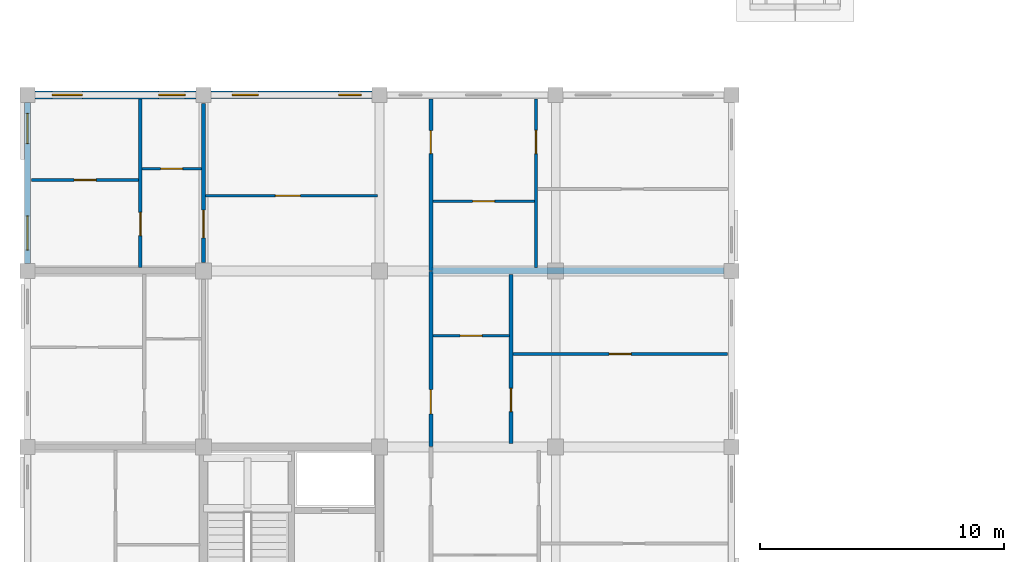
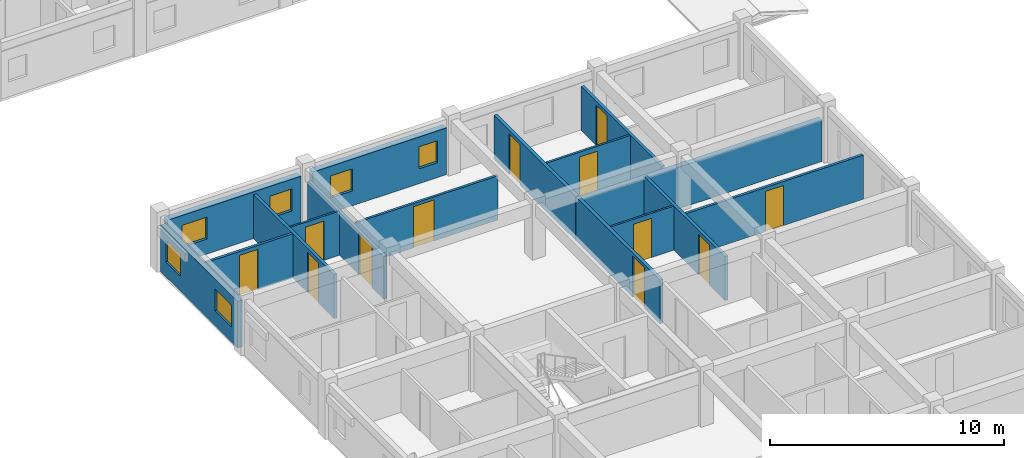
# One storey, part 18 of 50: 16 walls, 12 doors, 6 windows, 18 openings.
"""IFC4 building model written with IfcOpenShell, lengths in metres."""

from ifc_helpers import new_model, si_unit, direction, frame, frame_2d, origin, place, context, subcontext, project, spatial, rectangle, extrude, material, layer, layer_set, type_object, element, fill, save


model = new_model("IFC4")

# Units and contexts
model_context = context("Model", 3, precision=1e-05, world=origin(), true_north=direction((0.0, 1.0)))
body_context = subcontext(model_context, "Body", "Model", "MODEL_VIEW")
ifc_project = project(units=[si_unit("LENGTHUNIT", "METRE"), si_unit("AREAUNIT", "SQUARE_METRE"), si_unit("VOLUMEUNIT", "CUBIC_METRE"), si_unit("PLANEANGLEUNIT", "RADIAN"), si_unit("MASSUNIT", "GRAM", prefix="KILO"), si_unit("THERMODYNAMICTEMPERATUREUNIT", "KELVIN"), si_unit("POWERUNIT", "WATT")], contexts=[model_context])

# Site, building, storey
site_placement = place(None, origin())
site = spatial("IfcSite", under=ifc_project, at=site_placement, CompositionType="ELEMENT")
building_placement = place(site_placement, origin())
building = spatial("IfcBuilding", under=site, at=building_placement, Name="Tavuni Mirador Residences", CompositionType="ELEMENT")
storey_placement = place(building_placement, frame((0.0, 0.0, 4.5)))
storey = spatial("IfcBuildingStorey", under=building, at=storey_placement, Name="L01", CompositionType="ELEMENT", Elevation=4.5)

# Wall, opening, door
ifc_material_1 = material(Name="Precast concrete C40/50", Category="concrete")
ifc_layer_1 = layer(ifc_material_1, 0.1650390625, Name="Precast concrete C40/50", Category="concrete")
ifc_layer_set_1 = layer_set([ifc_layer_1], Name="Precast concrete C40/50")
wall_type_1 = type_object("IfcWallType", Name="WT-CORR165", PredefinedType="PARTITIONING", material=ifc_layer_set_1)
wall_1_placement = place(storey_placement, frame((20.10009765625, 36.02001953125, 0.0), z_axis=(0.0, 0.0, 1.0), x_axis=(0.0, 1.0, 0.0)))
wall_1 = element("IfcWall", 1, at=wall_1_placement, inside=storey, type_object=wall_type_1, Name="CORW-BLK-A-L01-0-04", PredefinedType="PARTITIONING", context=body_context, shape_type="SweptSolid", body=[
    extrude(rectangle(XDim=7.159912109375, YDim=0.1650390625, at=frame_2d((3.580078125, 0.0))), origin(), (0.0, 0.0, 1.0), 2.304931640625),
])
opening_1_placement = place(wall_1_placement, frame((1.330078125, 0.0, 0.0)))
opening_1 = element("IfcOpeningElement", 2, at=opening_1_placement, cuts=wall_1, Name="Opening D-03", PredefinedType="OPENING", context=body_context, shape_type="SweptSolid", body=[
    extrude(rectangle(XDim=1.0, YDim=2.14990234375, at=frame_2d((0.5, 1.074951171875))), frame((0.0, 0.092529296875, 0.0), z_axis=(0.0, -1.0, 0.0), x_axis=(1.0, 0.0, 0.0)), (0.0, 0.0, 1.0), 0.18505859375),
])
ifc_material_2 = material(Name="Solid core iroko timber", Category="wood")
door_type_1 = type_object("IfcDoorType", Name="DT-FD60-1000", OperationType="NOTDEFINED", PredefinedType="DOOR", material=ifc_material_2)
door_1_placement = place(opening_1_placement, origin())
door_1 = element("IfcDoor", 3, at=door_1_placement, inside=storey, type_object=door_type_1, Name="DR-2397", OperationType="SINGLE_SWING_RIGHT", OverallHeight=2.14990234375, OverallWidth=1.0, PredefinedType="DOOR", context=body_context, shape_type="SweptSolid", body=[
    extrude(rectangle(XDim=1.0, YDim=2.14990234375, at=frame_2d((0.5, 1.074951171875))), frame((0.0, 0.02490234375, 0.0), z_axis=(0.0, -1.0, 0.0), x_axis=(1.0, 0.0, 0.0)), (0.0, 0.0, 1.0), 0.050048828125),
])
fill(opening_1, door_1)

wall_2_placement = place(storey_placement, frame((20.10009765625, 43.219970703125, 0.0), z_axis=(0.0, 0.0, 1.0), x_axis=(0.0, 1.0, 0.0)))
wall_2 = element("IfcWall", 4, at=wall_2_placement, inside=storey, type_object=wall_type_1, Name="CORW-BLK-A-L01-0-05", PredefinedType="PARTITIONING", context=body_context, shape_type="SweptSolid", body=[
    extrude(rectangle(XDim=7.005126953125, YDim=0.1650390625, at=frame_2d((3.50244140625, 0.0))), origin(), (0.0, 0.0, 1.0), 2.304931640625),
])
opening_2_placement = place(wall_2_placement, frame((4.780029296875, 0.0, 0.0)))
opening_2 = element("IfcOpeningElement", 5, at=opening_2_placement, cuts=wall_2, Name="Opening D-19", PredefinedType="OPENING", context=body_context, shape_type="SweptSolid", body=[
    extrude(rectangle(XDim=0.93994140625, YDim=2.1201171875, at=frame_2d((0.469970703125, 1.06005859375))), frame((0.0, 0.092529296875, 0.0), z_axis=(0.0, -1.0, 0.0), x_axis=(1.0, 0.0, 0.0)), (0.0, 0.0, 1.0), 0.18505859375),
])
door_type_2 = type_object("IfcDoorType", Name="DT-FD60-940", OperationType="NOTDEFINED", PredefinedType="DOOR", material=ifc_material_2)
door_2_placement = place(opening_2_placement, origin())
door_2 = element("IfcDoor", 6, at=door_2_placement, inside=storey, type_object=door_type_2, Name="DR-2398", OperationType="SINGLE_SWING_LEFT", OverallHeight=2.1201171875, OverallWidth=0.93994140625, PredefinedType="DOOR", context=body_context, shape_type="SweptSolid", body=[
    extrude(rectangle(XDim=0.93994140625, YDim=2.1201171875, at=frame_2d((0.469970703125, 1.06005859375))), frame((0.0, 0.02490234375, 0.0), z_axis=(0.0, -1.0, 0.0), x_axis=(1.0, 0.0, 0.0)), (0.0, 0.0, 1.0), 0.050048828125),
])
fill(opening_2, door_2)

wall_3_placement = place(storey_placement, frame((10.800048828125, 43.550048828125, 0.0), z_axis=(0.0, 0.0, 1.0), x_axis=(0.0, 1.0, 0.0)))
wall_3 = element("IfcWall", 7, at=wall_3_placement, inside=storey, type_object=wall_type_1, Name="CORW-BLK-A-L01-1-05", PredefinedType="PARTITIONING", context=body_context, shape_type="SweptSolid", body=[
    extrude(rectangle(XDim=6.5, YDim=0.1650390625, at=frame_2d((3.25, 0.0))), origin(), (0.0, 0.0, 1.0), 2.219970703125),
])
opening_3_placement = place(wall_3_placement, frame((1.0, 0.0, 0.0)))
opening_3 = element("IfcOpeningElement", 8, at=opening_3_placement, cuts=wall_3, Name="Opening D-20", PredefinedType="OPENING", context=body_context, shape_type="SweptSolid", body=[
    extrude(rectangle(XDim=1.139892578125, YDim=2.179931640625, at=frame_2d((0.56982421875, 1.08984375))), frame((0.0, 0.092529296875, 0.0), z_axis=(0.0, -1.0, 0.0), x_axis=(1.0, 0.0, 0.0)), (0.0, 0.0, 1.0), 0.18505859375),
])
door_type_3 = type_object("IfcDoorType", Name="DT-FD60-1140", OperationType="NOTDEFINED", PredefinedType="DOOR", material=ifc_material_2)
door_3_placement = place(opening_3_placement, origin())
door_3 = element("IfcDoor", 9, at=door_3_placement, inside=storey, type_object=door_type_3, Name="DR-2402", OperationType="SINGLE_SWING_LEFT", OverallHeight=2.179931640625, OverallWidth=1.139892578125, PredefinedType="DOOR", context=body_context, shape_type="SweptSolid", body=[
    extrude(rectangle(XDim=1.139892578125, YDim=2.179931640625, at=frame_2d((0.56982421875, 1.08984375))), frame((0.0, 0.02490234375, 0.0), z_axis=(0.0, -1.0, 0.0), x_axis=(1.0, 0.0, 0.0)), (0.0, 0.0, 1.0), 0.050048828125),
])
fill(opening_3, door_3)

# Wall, openings, windows
ifc_material_3 = material(Name="Sgraffito lime-rendered precast concrete C40/50", Category="concrete")
ifc_layer_2 = layer(ifc_material_3, 0.2451171875, Name="Sgraffito lime-rendered precast concrete C40/50", Category="concrete")
ifc_layer_set_2 = layer_set([ifc_layer_2], Name="Sgraffito lime-rendered precast concrete C40/50")
wall_type_2 = type_object("IfcWallType", Name="WT-EXT-PC245", PredefinedType="SOLIDWALL", material=ifc_layer_set_2)
wall_4_placement = place(storey_placement, frame((3.60009765625, 50.10009765625, 0.0), z_axis=(0.0, 0.0, 1.0), x_axis=(0.0, -1.0, 0.0)))
wall_4 = element("IfcWall", 10, at=wall_4_placement, inside=storey, type_object=wall_type_2, Name="EW-BLK-A-L01-W05", PredefinedType="SOLIDWALL", context=body_context, shape_type="SweptSolid", body=[
    extrude(rectangle(XDim=6.60009765625, YDim=0.2451171875, at=frame_2d((3.300048828125, 0.0))), origin(), (0.0, 0.0, 1.0), 2.43994140625),
])
opening_4_placement = place(wall_4_placement, frame((0.449951171875, 0.0, 0.780029296875)))
opening_4 = element("IfcOpeningElement", 11, at=opening_4_placement, cuts=wall_4, Name="Opening WN-06", PredefinedType="OPENING", context=body_context, shape_type="SweptSolid", body=[
    extrude(rectangle(XDim=1.239990234375, YDim=1.14990234375, at=frame_2d((0.6201171875, 0.574951171875))), frame((0.0, 0.132568359375, 0.0), z_axis=(0.0, -1.0, 0.0), x_axis=(1.0, 0.0, 0.0)), (0.0, 0.0, 1.0), 0.26513671875),
])
opening_5_placement = place(wall_4_placement, frame((4.64990234375, 0.0, 0.780029296875)))
opening_5 = element("IfcOpeningElement", 12, at=opening_5_placement, cuts=wall_4, Name="Opening WN-08", PredefinedType="OPENING", context=body_context, shape_type="SweptSolid", body=[
    extrude(rectangle(XDim=1.39990234375, YDim=1.14990234375, at=frame_2d((0.699951171875, 0.574951171875))), frame((0.0, 0.132568359375, 0.0), z_axis=(0.0, -1.0, 0.0), x_axis=(1.0, 0.0, 0.0)), (0.0, 0.0, 1.0), 0.26513671875),
])
ifc_material_4 = material(Name="Laminated solar-control glass", Category="glass")
window_type_1 = type_object("IfcWindowType", Name="WNT-06", PartitioningType="SINGLE_PANEL", PredefinedType="WINDOW", material=ifc_material_4)
window_1_placement = place(opening_4_placement, origin())
window_1 = element("IfcWindow", 13, at=window_1_placement, inside=storey, type_object=window_type_1, Name="WIN-0064", OverallHeight=1.14990234375, OverallWidth=1.239990234375, PartitioningType="SINGLE_PANEL", PredefinedType="WINDOW", context=body_context, shape_type="SweptSolid", body=[
    extrude(rectangle(XDim=1.239990234375, YDim=1.14990234375, at=frame_2d((0.6201171875, 0.574951171875))), frame((0.0, 0.030029296875, 0.0), z_axis=(0.0, -1.0, 0.0), x_axis=(1.0, 0.0, 0.0)), (0.0, 0.0, 1.0), 0.06005859375),
])
fill(opening_4, window_1)
window_type_2 = type_object("IfcWindowType", Name="WNT-08", PartitioningType="SINGLE_PANEL", PredefinedType="WINDOW", material=ifc_material_4)
window_2_placement = place(opening_5_placement, origin())
window_2 = element("IfcWindow", 14, at=window_2_placement, inside=storey, type_object=window_type_2, Name="WIN-0065", OverallHeight=1.14990234375, OverallWidth=1.39990234375, PartitioningType="SINGLE_PANEL", PredefinedType="WINDOW", context=body_context, shape_type="SweptSolid", body=[
    extrude(rectangle(XDim=1.39990234375, YDim=1.14990234375, at=frame_2d((0.699951171875, 0.574951171875))), frame((0.0, 0.030029296875, 0.0), z_axis=(0.0, -1.0, 0.0), x_axis=(1.0, 0.0, 0.0)), (0.0, 0.0, 1.0), 0.06005859375),
])
fill(opening_5, window_2)

ifc_layer_3 = layer(ifc_material_3, 0.304931640625, Name="Sgraffito lime-rendered precast concrete C40/50", Category="concrete")
ifc_layer_set_3 = layer_set([ifc_layer_3], Name="Sgraffito lime-rendered precast concrete C40/50")
wall_type_3 = type_object("IfcWallType", Name="WT-EXT-PC305", PredefinedType="SOLIDWALL", material=ifc_layer_set_3)
wall_5_placement = place(storey_placement, frame((17.699951171875, 50.39990234375, 0.0), z_axis=(0.0, 0.0, 1.0), x_axis=(-1.0, 0.0, 0.0)))
wall_5 = element("IfcWall", 15, at=wall_5_placement, inside=storey, type_object=wall_type_3, Name="EW-BLK-A-L01-N01", PredefinedType="SOLIDWALL", context=body_context, shape_type="SweptSolid", body=[
    extrude(rectangle(XDim=6.599853515625, YDim=0.304931640625, at=frame_2d((3.2998046875, 0.0))), origin(), (0.0, 0.0, 1.0), 2.43994140625),
])
opening_6_placement = place(wall_5_placement, frame((0.449951171875, 0.0, 0.780029296875)))
opening_6 = element("IfcOpeningElement", 16, at=opening_6_placement, cuts=wall_5, Name="Opening WN-02", PredefinedType="OPENING", context=body_context, shape_type="SweptSolid", body=[
    extrude(rectangle(XDim=0.919921875, YDim=1.14990234375, at=frame_2d((0.4599609375, 0.574951171875))), frame((0.0, 0.16259765625, 0.0), z_axis=(0.0, -1.0, 0.0), x_axis=(1.0, 0.0, 0.0)), (0.0, 0.0, 1.0), 0.324951171875),
])
opening_7_placement = place(wall_5_placement, frame((4.64990234375, 0.0, 0.780029296875)))
opening_7 = element("IfcOpeningElement", 17, at=opening_7_placement, cuts=wall_5, Name="Opening WN-04", PredefinedType="OPENING", context=body_context, shape_type="SweptSolid", body=[
    extrude(rectangle(XDim=1.080078125, YDim=1.14990234375, at=frame_2d((0.5400390625, 0.574951171875))), frame((0.0, 0.16259765625, 0.0), z_axis=(0.0, -1.0, 0.0), x_axis=(1.0, 0.0, 0.0)), (0.0, 0.0, 1.0), 0.324951171875),
])
window_type_3 = type_object("IfcWindowType", Name="WNT-02", PartitioningType="SINGLE_PANEL", PredefinedType="WINDOW", material=ifc_material_4)
window_3_placement = place(opening_6_placement, origin())
window_3 = element("IfcWindow", 18, at=window_3_placement, inside=storey, type_object=window_type_3, Name="WIN-0060", OverallHeight=1.14990234375, OverallWidth=0.919921875, PartitioningType="SINGLE_PANEL", PredefinedType="WINDOW", context=body_context, shape_type="SweptSolid", body=[
    extrude(rectangle(XDim=0.919921875, YDim=1.14990234375, at=frame_2d((0.4599609375, 0.574951171875))), frame((0.0, 0.030029296875, 0.0), z_axis=(0.0, -1.0, 0.0), x_axis=(1.0, 0.0, 0.0)), (0.0, 0.0, 1.0), 0.06005859375),
])
fill(opening_6, window_3)
window_type_4 = type_object("IfcWindowType", Name="WNT-04", PartitioningType="SINGLE_PANEL", PredefinedType="WINDOW", material=ifc_material_4)
window_4_placement = place(opening_7_placement, origin())
window_4 = element("IfcWindow", 19, at=window_4_placement, inside=storey, type_object=window_type_4, Name="WIN-0061", OverallHeight=1.14990234375, OverallWidth=1.080078125, PartitioningType="SINGLE_PANEL", PredefinedType="WINDOW", context=body_context, shape_type="SweptSolid", body=[
    extrude(rectangle(XDim=1.080078125, YDim=1.14990234375, at=frame_2d((0.5400390625, 0.574951171875))), frame((0.0, 0.030029296875, 0.0), z_axis=(0.0, -1.0, 0.0), x_axis=(1.0, 0.0, 0.0)), (0.0, 0.0, 1.0), 0.06005859375),
])
fill(opening_7, window_4)

ifc_layer_4 = layer(ifc_material_3, 0.31494140625, Name="Sgraffito lime-rendered precast concrete C40/50", Category="concrete")
ifc_layer_set_4 = layer_set([ifc_layer_4], Name="Sgraffito lime-rendered precast concrete C40/50")
wall_type_4 = type_object("IfcWallType", Name="WT-EXT-PC315", PredefinedType="SOLIDWALL", material=ifc_layer_set_4)
wall_6_placement = place(storey_placement, frame((10.5, 50.39990234375, 0.0), z_axis=(0.0, 0.0, 1.0), x_axis=(-1.0, 0.0, 0.0)))
wall_6 = element("IfcWall", 20, at=wall_6_placement, inside=storey, type_object=wall_type_4, Name="EW-BLK-A-L01-N00", PredefinedType="SOLIDWALL", context=body_context, shape_type="SweptSolid", body=[
    extrude(rectangle(XDim=6.60009765625, YDim=0.31494140625, at=frame_2d((3.300048828125, 0.0))), origin(), (0.0, 0.0, 1.0), 2.43994140625),
])
opening_8_placement = place(wall_6_placement, frame((0.449951171875, 0.0, 0.780029296875)))
opening_8 = element("IfcOpeningElement", 21, at=opening_8_placement, cuts=wall_6, Name="Opening WN-04", PredefinedType="OPENING", context=body_context, shape_type="SweptSolid", body=[
    extrude(rectangle(XDim=1.080078125, YDim=1.14990234375, at=frame_2d((0.5400390625, 0.574951171875))), frame((0.0, 0.16748046875, 0.0), z_axis=(0.0, -1.0, 0.0), x_axis=(1.0, 0.0, 0.0)), (0.0, 0.0, 1.0), 0.3349609375),
])
opening_9_placement = place(wall_6_placement, frame((4.64990234375, 0.0, 0.780029296875)))
opening_9 = element("IfcOpeningElement", 22, at=opening_9_placement, cuts=wall_6, Name="Opening WN-06", PredefinedType="OPENING", context=body_context, shape_type="SweptSolid", body=[
    extrude(rectangle(XDim=1.239990234375, YDim=1.14990234375, at=frame_2d((0.6201171875, 0.574951171875))), frame((0.0, 0.16748046875, 0.0), z_axis=(0.0, -1.0, 0.0), x_axis=(1.0, 0.0, 0.0)), (0.0, 0.0, 1.0), 0.3349609375),
])
window_5_placement = place(opening_8_placement, origin())
window_5 = element("IfcWindow", 23, at=window_5_placement, inside=storey, type_object=window_type_4, Name="WIN-0062", OverallHeight=1.14990234375, OverallWidth=1.080078125, PartitioningType="SINGLE_PANEL", PredefinedType="WINDOW", context=body_context, shape_type="SweptSolid", body=[
    extrude(rectangle(XDim=1.080078125, YDim=1.14990234375, at=frame_2d((0.5400390625, 0.574951171875))), frame((0.0, 0.030029296875, 0.0), z_axis=(0.0, -1.0, 0.0), x_axis=(1.0, 0.0, 0.0)), (0.0, 0.0, 1.0), 0.06005859375),
])
fill(opening_8, window_5)
window_6_placement = place(opening_9_placement, origin())
window_6 = element("IfcWindow", 24, at=window_6_placement, inside=storey, type_object=window_type_1, Name="WIN-0063", OverallHeight=1.14990234375, OverallWidth=1.239990234375, PartitioningType="SINGLE_PANEL", PredefinedType="WINDOW", context=body_context, shape_type="SweptSolid", body=[
    extrude(rectangle(XDim=1.239990234375, YDim=1.14990234375, at=frame_2d((0.6201171875, 0.574951171875))), frame((0.0, 0.030029296875, 0.0), z_axis=(0.0, -1.0, 0.0), x_axis=(1.0, 0.0, 0.0)), (0.0, 0.0, 1.0), 0.06005859375),
])
fill(opening_9, window_6)

# Wall, opening, door
ifc_material_5 = material(Name="Acoustic gypsum and concrete block partition", Category="concrete")
ifc_layer_5 = layer(ifc_material_5, 0.094970703125, Name="Acoustic gypsum and concrete block partition", Category="concrete")
ifc_layer_set_5 = layer_set([ifc_layer_5], Name="Acoustic gypsum and concrete block partition")
wall_type_5 = type_object("IfcWallType", Name="WT-PART095", PredefinedType="PARTITIONING", material=ifc_layer_set_5)
wall_7_placement = place(storey_placement, frame((20.18994140625, 40.550048828125, 0.0), z_axis=(0.0, 0.0, 1.0), x_axis=(1.0, 0.0, 0.0)))
wall_7 = element("IfcWall", 25, at=wall_7_placement, inside=storey, type_object=wall_type_5, Name="PW-BLK-A-L01-E04-IN1", PredefinedType="PARTITIONING", context=body_context, shape_type="SweptSolid", body=[
    extrude(rectangle(XDim=3.1201171875, YDim=0.094970703125, at=frame_2d((1.56005859375, 0.0))), origin(), (0.0, 0.0, 1.0), 2.304931640625),
])
opening_10_placement = place(wall_7_placement, frame((1.110107421875, 0.0, 0.0)))
opening_10 = element("IfcOpeningElement", 26, at=opening_10_placement, cuts=wall_7, Name="Opening D-09", PredefinedType="OPENING", context=body_context, shape_type="SweptSolid", body=[
    extrude(rectangle(XDim=0.89990234375, YDim=2.050048828125, at=frame_2d((0.449951171875, 1.02490234375))), frame((0.0, 0.0576171875, 0.0), z_axis=(0.0, -1.0, 0.0), x_axis=(1.0, 0.0, 0.0)), (0.0, 0.0, 1.0), 0.114990234375),
])
door_type_4 = type_object("IfcDoorType", Name="DT-WC900", OperationType="NOTDEFINED", PredefinedType="DOOR", material=ifc_material_2)
door_4_placement = place(opening_10_placement, origin())
door_4 = element("IfcDoor", 27, at=door_4_placement, inside=storey, type_object=door_type_4, Name="DR-2981", OperationType="SINGLE_SWING_RIGHT", OverallHeight=2.050048828125, OverallWidth=0.89990234375, PredefinedType="DOOR", context=body_context, shape_type="SweptSolid", body=[
    extrude(rectangle(XDim=0.89990234375, YDim=2.050048828125, at=frame_2d((0.449951171875, 1.02490234375))), frame((0.0, 0.02490234375, 0.0), z_axis=(0.0, -1.0, 0.0), x_axis=(1.0, 0.0, 0.0)), (0.0, 0.0, 1.0), 0.050048828125),
])
fill(opening_10, door_4)

wall_8_placement = place(storey_placement, frame((8.2900390625, 47.3798828125, 0.0), z_axis=(0.0, 0.0, 1.0), x_axis=(1.0, 0.0, 0.0)))
wall_8 = element("IfcWall", 28, at=wall_8_placement, inside=storey, type_object=wall_type_5, Name="PW-BLK-A-L01-W05-IN1", PredefinedType="PARTITIONING", context=body_context, shape_type="SweptSolid", body=[
    extrude(rectangle(XDim=2.419921875, YDim=0.094970703125, at=frame_2d((1.2099609375, 0.0))), origin(), (0.0, 0.0, 1.0), 2.304931640625),
])
opening_11_placement = place(wall_8_placement, frame((0.760009765625, 0.0, 0.0)))
opening_11 = element("IfcOpeningElement", 29, at=opening_11_placement, cuts=wall_8, Name="Opening D-09", PredefinedType="OPENING", context=body_context, shape_type="SweptSolid", body=[
    extrude(rectangle(XDim=0.89990234375, YDim=2.050048828125, at=frame_2d((0.449951171875, 1.02490234375))), frame((0.0, 0.0576171875, 0.0), z_axis=(0.0, -1.0, 0.0), x_axis=(1.0, 0.0, 0.0)), (0.0, 0.0, 1.0), 0.114990234375),
])
door_5_placement = place(opening_11_placement, origin())
door_5 = element("IfcDoor", 30, at=door_5_placement, inside=storey, type_object=door_type_4, Name="DR-2985", OperationType="SINGLE_SWING_RIGHT", OverallHeight=2.050048828125, OverallWidth=0.89990234375, PredefinedType="DOOR", context=body_context, shape_type="SweptSolid", body=[
    extrude(rectangle(XDim=0.89990234375, YDim=2.050048828125, at=frame_2d((0.449951171875, 1.02490234375))), frame((0.0, 0.02490234375, 0.0), z_axis=(0.0, -1.0, 0.0), x_axis=(1.0, 0.0, 0.0)), (0.0, 0.0, 1.0), 0.050048828125),
])
fill(opening_11, door_5)

ifc_layer_6 = layer(ifc_material_5, 0.10498046875, Name="Acoustic gypsum and concrete block partition", Category="concrete")
ifc_layer_set_6 = layer_set([ifc_layer_6], Name="Acoustic gypsum and concrete block partition")
wall_type_6 = type_object("IfcWallType", Name="WT-PART105", PredefinedType="PARTITIONING", material=ifc_layer_set_6)
wall_9_placement = place(storey_placement, frame((20.18994140625, 46.050048828125, 0.0), z_axis=(0.0, 0.0, 1.0), x_axis=(1.0, 0.0, 0.0)))
wall_9 = element("IfcWall", 31, at=wall_9_placement, inside=storey, type_object=wall_type_6, Name="PW-BLK-A-L01-E05-IN1", PredefinedType="PARTITIONING", context=body_context, shape_type="SweptSolid", body=[
    extrude(rectangle(XDim=4.14013671875, YDim=0.10498046875, at=frame_2d((2.070068359375, 0.0))), origin(), (0.0, 0.0, 1.0), 2.304931640625),
])
opening_12_placement = place(wall_9_placement, frame((1.6201171875, 0.0, 0.0)))
opening_12 = element("IfcOpeningElement", 32, at=opening_12_placement, cuts=wall_9, Name="Opening D-09", PredefinedType="OPENING", context=body_context, shape_type="SweptSolid", body=[
    extrude(rectangle(XDim=0.89990234375, YDim=2.050048828125, at=frame_2d((0.449951171875, 1.02490234375))), frame((0.0, 0.0625, 0.0), z_axis=(0.0, -1.0, 0.0), x_axis=(1.0, 0.0, 0.0)), (0.0, 0.0, 1.0), 0.125),
])
door_6_placement = place(opening_12_placement, origin())
door_6 = element("IfcDoor", 33, at=door_6_placement, inside=storey, type_object=door_type_4, Name="DR-2988", OperationType="SINGLE_SWING_RIGHT", OverallHeight=2.050048828125, OverallWidth=0.89990234375, PredefinedType="DOOR", context=body_context, shape_type="SweptSolid", body=[
    extrude(rectangle(XDim=0.89990234375, YDim=2.050048828125, at=frame_2d((0.449951171875, 1.02490234375))), frame((0.0, 0.02490234375, 0.0), z_axis=(0.0, -1.0, 0.0), x_axis=(1.0, 0.0, 0.0)), (0.0, 0.0, 1.0), 0.050048828125),
])
fill(opening_12, door_6)

ifc_layer_7 = layer(ifc_material_5, 0.114990234375, Name="Acoustic gypsum and concrete block partition", Category="concrete")
ifc_layer_set_7 = layer_set([ifc_layer_7], Name="Acoustic gypsum and concrete block partition")
wall_type_7 = type_object("IfcWallType", Name="WT-PART115", PredefinedType="PARTITIONING", material=ifc_layer_set_7)
wall_10_placement = place(storey_placement, frame((10.889892578125, 46.280029296875, 0.0), z_axis=(0.0, 0.0, 1.0), x_axis=(1.0, 0.0, 0.0)))
wall_10 = element("IfcWall", 34, at=wall_10_placement, inside=storey, type_object=wall_type_7, Name="PW-SPN-BLK-A-L01-05", PredefinedType="PARTITIONING", context=body_context, shape_type="SweptSolid", body=[
    extrude(rectangle(XDim=7.02001953125, YDim=0.114990234375, at=frame_2d((3.510009765625, 0.0))), origin(), (0.0, 0.0, 1.0), 2.304931640625),
])
opening_13_placement = place(wall_10_placement, frame((2.85009765625, 0.0, 0.0)))
opening_13 = element("IfcOpeningElement", 35, at=opening_13_placement, cuts=wall_10, Name="Opening D-13", PredefinedType="OPENING", context=body_context, shape_type="SweptSolid", body=[
    extrude(rectangle(XDim=1.02001953125, YDim=2.14990234375, at=frame_2d((0.510009765625, 1.074951171875))), frame((0.0, 0.0673828125, 0.0), z_axis=(0.0, -1.0, 0.0), x_axis=(1.0, 0.0, 0.0)), (0.0, 0.0, 1.0), 0.135009765625),
])
door_type_5 = type_object("IfcDoorType", Name="DT-MTG1020", OperationType="NOTDEFINED", PredefinedType="DOOR", material=ifc_material_2)
door_7_placement = place(opening_13_placement, origin())
door_7 = element("IfcDoor", 36, at=door_7_placement, inside=storey, type_object=door_type_5, Name="DR-2983", OperationType="SINGLE_SWING_LEFT", OverallHeight=2.14990234375, OverallWidth=1.02001953125, PredefinedType="DOOR", context=body_context, shape_type="SweptSolid", body=[
    extrude(rectangle(XDim=1.02001953125, YDim=2.14990234375, at=frame_2d((0.510009765625, 1.074951171875))), frame((0.0, 0.02490234375, 0.0), z_axis=(0.0, -1.0, 0.0), x_axis=(1.0, 0.0, 0.0)), (0.0, 0.0, 1.0), 0.050048828125),
])
fill(opening_13, door_7)

ifc_layer_8 = layer(ifc_material_5, 0.125, Name="Acoustic gypsum and concrete block partition", Category="concrete")
ifc_layer_set_8 = layer_set([ifc_layer_8], Name="Acoustic gypsum and concrete block partition")
wall_type_8 = type_object("IfcWallType", Name="WT-PART125", PredefinedType="PARTITIONING", material=ifc_layer_set_8)
wall_11_placement = place(storey_placement, frame((23.449951171875, 39.800048828125, 0.0), z_axis=(0.0, 0.0, 1.0), x_axis=(1.0, 0.0, 0.0)))
wall_11 = element("IfcWall", 37, at=wall_11_placement, inside=storey, type_object=wall_type_8, Name="PW-BLK-A-L01-E04-OUT", PredefinedType="PARTITIONING", context=body_context, shape_type="SweptSolid", body=[
    extrude(rectangle(XDim=8.775146484375, YDim=0.125, at=frame_2d((4.3876953125, 0.0))), origin(), (0.0, 0.0, 1.0), 2.304931640625),
])
opening_14_placement = place(wall_11_placement, frame((3.9375, 0.0, 0.0)))
opening_14 = element("IfcOpeningElement", 38, at=opening_14_placement, cuts=wall_11, Name="Opening D-07", PredefinedType="OPENING", context=body_context, shape_type="SweptSolid", body=[
    extrude(rectangle(XDim=0.89990234375, YDim=2.10009765625, at=frame_2d((0.449951171875, 1.050048828125))), frame((0.0, 0.072509765625, 0.0), z_axis=(0.0, -1.0, 0.0), x_axis=(1.0, 0.0, 0.0)), (0.0, 0.0, 1.0), 0.14501953125),
])
door_type_6 = type_object("IfcDoorType", Name="DT-BED900", OperationType="NOTDEFINED", PredefinedType="DOOR", material=ifc_material_2)
door_8_placement = place(opening_14_placement, origin())
door_8 = element("IfcDoor", 39, at=door_8_placement, inside=storey, type_object=door_type_6, Name="DR-2980", OperationType="SINGLE_SWING_LEFT", OverallHeight=2.10009765625, OverallWidth=0.89990234375, PredefinedType="DOOR", context=body_context, shape_type="SweptSolid", body=[
    extrude(rectangle(XDim=0.89990234375, YDim=2.10009765625, at=frame_2d((0.449951171875, 1.050048828125))), frame((0.0, 0.02490234375, 0.0), z_axis=(0.0, -1.0, 0.0), x_axis=(1.0, 0.0, 0.0)), (0.0, 0.0, 1.0), 0.050048828125),
])
fill(opening_14, door_8)

wall_12_placement = place(storey_placement, frame((3.77490234375, 46.919921875, 0.0), z_axis=(0.0, 0.0, 1.0), x_axis=(1.0, 0.0, 0.0)))
wall_12 = element("IfcWall", 40, at=wall_12_placement, inside=storey, type_object=wall_type_8, Name="PW-BLK-A-L01-W05-OUT", PredefinedType="PARTITIONING", context=body_context, shape_type="SweptSolid", body=[
    extrude(rectangle(XDim=4.375, YDim=0.125, at=frame_2d((2.1875, 0.0))), origin(), (0.0, 0.0, 1.0), 2.304931640625),
])
opening_15_placement = place(wall_12_placement, frame((1.737548828125, 0.0, 0.0)))
opening_15 = element("IfcOpeningElement", 41, at=opening_15_placement, cuts=wall_12, Name="Opening D-07", PredefinedType="OPENING", context=body_context, shape_type="SweptSolid", body=[
    extrude(rectangle(XDim=0.89990234375, YDim=2.10009765625, at=frame_2d((0.449951171875, 1.050048828125))), frame((0.0, 0.072509765625, 0.0), z_axis=(0.0, -1.0, 0.0), x_axis=(1.0, 0.0, 0.0)), (0.0, 0.0, 1.0), 0.14501953125),
])
door_9_placement = place(opening_15_placement, origin())
door_9 = element("IfcDoor", 42, at=door_9_placement, inside=storey, type_object=door_type_6, Name="DR-2984", OperationType="SINGLE_SWING_LEFT", OverallHeight=2.10009765625, OverallWidth=0.89990234375, PredefinedType="DOOR", context=body_context, shape_type="SweptSolid", body=[
    extrude(rectangle(XDim=0.89990234375, YDim=2.10009765625, at=frame_2d((0.449951171875, 1.050048828125))), frame((0.0, 0.02490234375, 0.0), z_axis=(0.0, -1.0, 0.0), x_axis=(1.0, 0.0, 0.0)), (0.0, 0.0, 1.0), 0.050048828125),
])
fill(opening_15, door_9)

ifc_layer_9 = layer(ifc_material_5, 0.139892578125, Name="Acoustic gypsum and concrete block partition", Category="concrete")
ifc_layer_set_9 = layer_set([ifc_layer_9], Name="Acoustic gypsum and concrete block partition")
wall_type_9 = type_object("IfcWallType", Name="WT-PART140", PredefinedType="PARTITIONING", material=ifc_layer_set_9)
wall_13_placement = place(storey_placement, frame((24.39990234375, 43.340087890625, 0.0), z_axis=(0.0, 0.0, 1.0), x_axis=(0.0, 1.0, 0.0)))
wall_13 = element("IfcWall", 43, at=wall_13_placement, inside=storey, type_object=wall_type_9, Name="PW-BLK-A-L01-E05-MID", PredefinedType="PARTITIONING", context=body_context, shape_type="SweptSolid", body=[
    extrude(rectangle(XDim=6.885009765625, YDim=0.139892578125, at=frame_2d((3.4423828125, 0.0))), origin(), (0.0, 0.0, 1.0), 2.304931640625),
])
opening_16_placement = place(wall_13_placement, frame((4.659912109375, 0.0, 0.0)))
opening_16 = element("IfcOpeningElement", 44, at=opening_16_placement, cuts=wall_13, Name="Opening D-05", PredefinedType="OPENING", context=body_context, shape_type="SweptSolid", body=[
    extrude(rectangle(XDim=0.949951171875, YDim=2.10009765625, at=frame_2d((0.47509765625, 1.050048828125))), frame((0.0, 0.080078125, 0.0), z_axis=(0.0, -1.0, 0.0), x_axis=(1.0, 0.0, 0.0)), (0.0, 0.0, 1.0), 0.159912109375),
])
door_type_7 = type_object("IfcDoorType", Name="DT-INT950", OperationType="NOTDEFINED", PredefinedType="DOOR", material=ifc_material_2)
door_10_placement = place(opening_16_placement, origin())
door_10 = element("IfcDoor", 45, at=door_10_placement, inside=storey, type_object=door_type_7, Name="DR-2989", OperationType="SINGLE_SWING_LEFT", OverallHeight=2.10009765625, OverallWidth=0.949951171875, PredefinedType="DOOR", context=body_context, shape_type="SweptSolid", body=[
    extrude(rectangle(XDim=0.949951171875, YDim=2.10009765625, at=frame_2d((0.47509765625, 1.050048828125))), frame((0.0, 0.02490234375, 0.0), z_axis=(0.0, -1.0, 0.0), x_axis=(1.0, 0.0, 0.0)), (0.0, 0.0, 1.0), 0.050048828125),
])
fill(opening_16, door_10)

ifc_layer_10 = layer(ifc_material_5, 0.14990234375, Name="Acoustic gypsum and concrete block partition", Category="concrete")
ifc_layer_set_10 = layer_set([ifc_layer_10], Name="Acoustic gypsum and concrete block partition")
wall_type_10 = type_object("IfcWallType", Name="WT-PART150", PredefinedType="PARTITIONING", material=ifc_layer_set_10)
wall_14_placement = place(storey_placement, frame((23.3798828125, 36.139892578125, 0.0), z_axis=(0.0, 0.0, 1.0), x_axis=(0.0, 1.0, 0.0)))
wall_14 = element("IfcWall", 46, at=wall_14_placement, inside=storey, type_object=wall_type_10, Name="PW-BLK-A-L01-E04-MID", PredefinedType="PARTITIONING", context=body_context, shape_type="SweptSolid", body=[
    extrude(rectangle(XDim=6.920166015625, YDim=0.14990234375, at=frame_2d((3.4599609375, 0.0))), origin(), (0.0, 0.0, 1.0), 2.304931640625),
])
opening_17_placement = place(wall_14_placement, frame((1.31005859375, 0.0, 0.0)))
opening_17 = element("IfcOpeningElement", 47, at=opening_17_placement, cuts=wall_14, Name="Opening D-05", PredefinedType="OPENING", context=body_context, shape_type="SweptSolid", body=[
    extrude(rectangle(XDim=0.949951171875, YDim=2.10009765625, at=frame_2d((0.47509765625, 1.050048828125))), frame((0.0, 0.0849609375, 0.0), z_axis=(0.0, -1.0, 0.0), x_axis=(1.0, 0.0, 0.0)), (0.0, 0.0, 1.0), 0.169921875),
])
door_11_placement = place(opening_17_placement, origin())
door_11 = element("IfcDoor", 48, at=door_11_placement, inside=storey, type_object=door_type_7, Name="DR-2982", OperationType="SINGLE_SWING_LEFT", OverallHeight=2.10009765625, OverallWidth=0.949951171875, PredefinedType="DOOR", context=body_context, shape_type="SweptSolid", body=[
    extrude(rectangle(XDim=0.949951171875, YDim=2.10009765625, at=frame_2d((0.47509765625, 1.050048828125))), frame((0.0, 0.02490234375, 0.0), z_axis=(0.0, -1.0, 0.0), x_axis=(1.0, 0.0, 0.0)), (0.0, 0.0, 1.0), 0.050048828125),
])
fill(opening_17, door_11)

wall_15_placement = place(storey_placement, frame((8.219970703125, 43.340087890625, 0.0), z_axis=(0.0, 0.0, 1.0), x_axis=(0.0, 1.0, 0.0)))
wall_15 = element("IfcWall", 49, at=wall_15_placement, inside=storey, type_object=wall_type_10, Name="PW-BLK-A-L01-W05-MID", PredefinedType="PARTITIONING", context=body_context, shape_type="SweptSolid", body=[
    extrude(rectangle(XDim=6.885009765625, YDim=0.14990234375, at=frame_2d((3.4423828125, 0.0))), origin(), (0.0, 0.0, 1.0), 2.304931640625),
])
opening_18_placement = place(wall_15_placement, frame((1.31005859375, 0.0, 0.0)))
opening_18 = element("IfcOpeningElement", 50, at=opening_18_placement, cuts=wall_15, Name="Opening D-05", PredefinedType="OPENING", context=body_context, shape_type="SweptSolid", body=[
    extrude(rectangle(XDim=0.949951171875, YDim=2.10009765625, at=frame_2d((0.47509765625, 1.050048828125))), frame((0.0, 0.0849609375, 0.0), z_axis=(0.0, -1.0, 0.0), x_axis=(1.0, 0.0, 0.0)), (0.0, 0.0, 1.0), 0.169921875),
])
door_12_placement = place(opening_18_placement, origin())
door_12 = element("IfcDoor", 51, at=door_12_placement, inside=storey, type_object=door_type_7, Name="DR-2986", OperationType="SINGLE_SWING_LEFT", OverallHeight=2.10009765625, OverallWidth=0.949951171875, PredefinedType="DOOR", context=body_context, shape_type="SweptSolid", body=[
    extrude(rectangle(XDim=0.949951171875, YDim=2.10009765625, at=frame_2d((0.47509765625, 1.050048828125))), frame((0.0, 0.02490234375, 0.0), z_axis=(0.0, -1.0, 0.0), x_axis=(1.0, 0.0, 0.0)), (0.0, 0.0, 1.0), 0.050048828125),
])
fill(opening_18, door_12)

# Wall
ifc_layer_11 = layer(ifc_material_1, 0.264892578125, Name="Precast concrete C40/50", Category="concrete")
ifc_layer_set_11 = layer_set([ifc_layer_11], Name="Precast concrete C40/50")
wall_type_11 = type_object("IfcWallType", Name="WT-XW265", PredefinedType="SOLIDWALL", material=ifc_layer_set_11)
wall_16_placement = place(storey_placement, frame((20.10009765625, 43.199951171875, 0.0), z_axis=(0.0, 0.0, 1.0), x_axis=(1.0, 0.0, 0.0)))
element("IfcWall", 52, at=wall_16_placement, inside=storey, type_object=wall_type_11, Name="XW-BLK-A-L01-E-05", PredefinedType="SOLIDWALL", context=body_context, shape_type="SweptSolid", body=[
    extrude(rectangle(XDim=12.0, YDim=0.264892578125, at=frame_2d((6.0, 0.0))), origin(), (0.0, 0.0, 1.0), 2.169921875),
])

save(model, "model.ifc")
